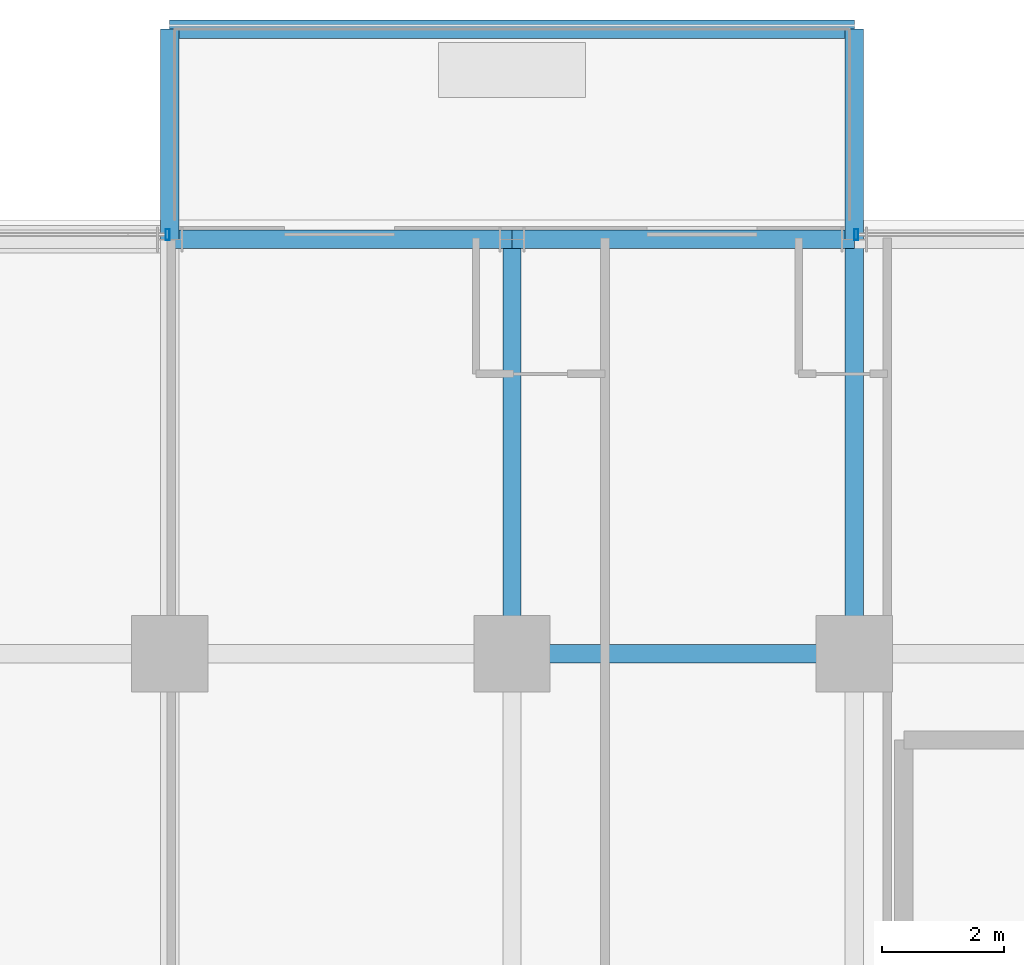
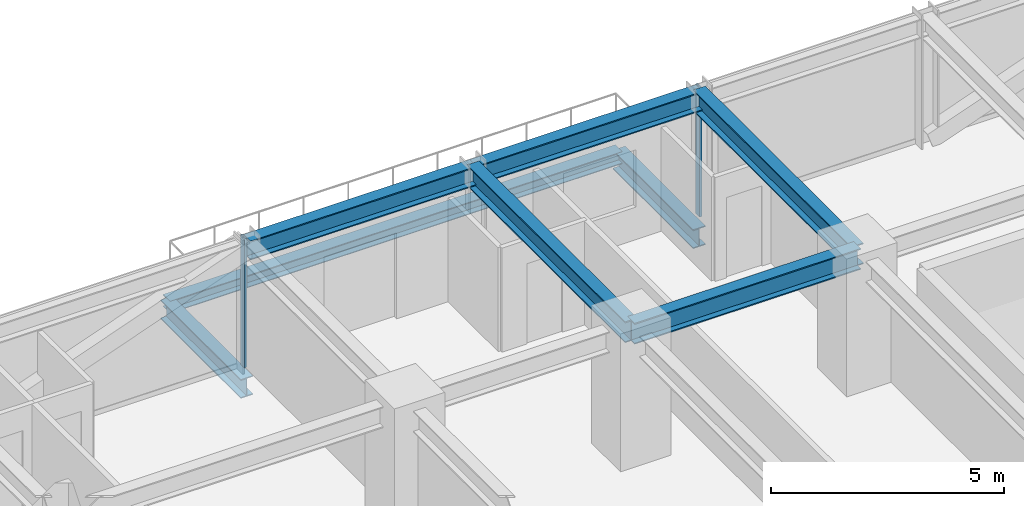
# One storey, part 20 of 39: 8 beams, 2 members, 2 elements without a shape of their own.
"""IFC4 building model written with IfcOpenShell, lengths in metres."""

from ifc_helpers import new_model, si_unit, direction, frame, origin, origin_2d, place, context, subcontext, project, spatial, hollow_rectangle, i_section, extrude, source, transform, mapped, material, material_profile, profile_set, type_object, element, aggregate, save


model = new_model("IFC4")

# Units and contexts
model_context = context("Model", 3, precision=1e-05, world=origin(), true_north=direction((0.0, 1.0)))
body_context = subcontext(model_context, "Body", "Model", "MODEL_VIEW")
ifc_project = project(units=[si_unit("LENGTHUNIT", "METRE"), si_unit("AREAUNIT", "SQUARE_METRE"), si_unit("VOLUMEUNIT", "CUBIC_METRE"), si_unit("PLANEANGLEUNIT", "RADIAN"), si_unit("MASSUNIT", "GRAM", prefix="KILO")], contexts=[model_context])

# Site, building, storey
site_placement = place(None, origin())
site = spatial("IfcSite", under=ifc_project, at=site_placement, CompositionType="ELEMENT")
building_placement = place(site_placement, origin())
building = spatial("IfcBuilding", under=site, at=building_placement, Name="Nahalor Promenade Grand Hotel", CompositionType="ELEMENT")
storey_placement = place(building_placement, frame((0.0, 0.0, 135.75)))
storey = spatial("IfcBuildingStorey", under=building, at=storey_placement, Name="L34", CompositionType="ELEMENT", Elevation=135.75)

# Beams
ifc_material_1 = material(Name="Steel S355JR", Category="steel")
ifc_material_profile_1 = material_profile(ifc_material_1, i_section(OverallWidth=0.3, OverallDepth=0.5, WebThickness=0.0145, FlangeThickness=0.028, at=origin_2d()), Name="HEB 500")
ifc_profile_set_1 = profile_set([ifc_material_profile_1], Name="Steel S355JR")
beam_type_1 = type_object("IfcBeamType", Name="Beam-Outrigger-HEB500", PredefinedType="BEAM", material=ifc_profile_set_1)
shared_shape_1 = source(origin(), body_context, "Body", "SweptSolid", [
    extrude(i_section(OverallWidth=0.3, OverallDepth=0.5, WebThickness=0.0145, FlangeThickness=0.028, at=origin_2d()), origin(), (0.0, 0.0, 1.0), 3.43994140625),
])
for number, where, z_axis, x_axis, name in (
    (1, (-8.39990234375, 23.780029296875, -0.530029296875), (0.0, 1.0, 0.0), (-1.0, 0.0, 0.0), "BM-L34-BC-01-1"),
    (2, (2.800048828125, 23.780029296875, -0.530029296875), (0.0, 1.0, 0.0), (-1.0, 0.0, 0.0), "BM-L34-BC-01-2"),
):
    element("IfcBeam", number, at=place(storey_placement, frame(where, z_axis=z_axis, x_axis=x_axis)), inside=storey, type_object=beam_type_1, Name=name, PredefinedType="BEAM", context=body_context, shape_type="MappedRepresentation", body=[
        mapped(shared_shape_1, transform((0.0, 0.0, 0.0), scale=1.0)),
    ])
ifc_material_profile_2 = material_profile(ifc_material_1, i_section(OverallWidth=0.3, OverallDepth=0.32, WebThickness=0.0115, FlangeThickness=0.0205, at=origin_2d()), Name="HEB 320")
ifc_profile_set_2 = profile_set([ifc_material_profile_2], Name="Steel S355JR")
beam_type_2 = type_object("IfcBeamType", Name="Beam-BalcEdge-HEB320", PredefinedType="SPANDREL", material=ifc_profile_set_2)
shared_shape_2 = source(origin(), body_context, "Body", "SweptSolid", [
    extrude(i_section(OverallWidth=0.3, OverallDepth=0.32, WebThickness=0.0115, FlangeThickness=0.0205, at=origin_2d()), origin(), (0.0, 0.0, 1.0), 11.199951171875),
])
beam_1_placement = place(storey_placement, frame((-8.39990234375, 27.219970703125, -0.43994140625), z_axis=(1.0, 0.0, 0.0), x_axis=(0.0, 1.0, 0.0)))
element("IfcBeam", 3, at=beam_1_placement, inside=storey, type_object=beam_type_2, Name="BM-L34-BC-01-F", PredefinedType="SPANDREL", context=body_context, shape_type="MappedRepresentation", body=[
    mapped(shared_shape_2, transform((0.0, 0.0, 0.0), scale=1.0)),
])
ifc_material_profile_3 = material_profile(ifc_material_1, i_section(OverallWidth=0.3, OverallDepth=0.5, WebThickness=0.0145, FlangeThickness=0.028, at=origin_2d()), Name="HEB 500")
ifc_profile_set_3 = profile_set([ifc_material_profile_3], Name="Steel S355JR")
beam_type_3 = type_object("IfcBeamType", Name="Beam-Spandrel-HEB500", PredefinedType="SPANDREL", material=ifc_profile_set_3)
shared_shape_3 = source(origin(), body_context, "Body", "SweptSolid", [
    extrude(i_section(OverallWidth=0.3, OverallDepth=0.5, WebThickness=0.0145, FlangeThickness=0.028, at=origin_2d()), origin(), (0.0, 0.0, 1.0), 5.599853515625),
])
beam_2_placement = place(storey_placement, frame((-8.39990234375, 23.780029296875, 3.1298828125), z_axis=(1.0, 0.0, 0.0), x_axis=(0.0, 1.0, 0.0)))
element("IfcBeam", 4, at=beam_2_placement, inside=storey, type_object=beam_type_3, Name="BM-L34-SP-N-1", PredefinedType="SPANDREL", context=body_context, shape_type="MappedRepresentation", body=[
    mapped(shared_shape_3, transform((0.0, 0.0, 0.0), scale=1.0)),
])
shared_shape_4 = source(origin(), body_context, "Body", "SweptSolid", [
    extrude(i_section(OverallWidth=0.3, OverallDepth=0.5, WebThickness=0.0145, FlangeThickness=0.028, at=origin_2d()), origin(), (0.0, 0.0, 1.0), 5.60009765625),
])
beam_3_placement = place(storey_placement, frame((-2.800048828125, 23.780029296875, 3.1298828125), z_axis=(1.0, 0.0, 0.0), x_axis=(0.0, 1.0, 0.0)))
element("IfcBeam", 5, at=beam_3_placement, inside=storey, type_object=beam_type_3, Name="BM-L34-SP-N-2", PredefinedType="SPANDREL", context=body_context, shape_type="MappedRepresentation", body=[
    mapped(shared_shape_4, transform((0.0, 0.0, 0.0), scale=1.0)),
])
ifc_material_profile_4 = material_profile(ifc_material_1, i_section(OverallWidth=0.3, OverallDepth=0.55, WebThickness=0.015, FlangeThickness=0.029, at=origin_2d()), Name="HEB 550")
ifc_profile_set_4 = profile_set([ifc_material_profile_4], Name="Steel S355JR")
beam_type_4 = type_object("IfcBeamType", Name="Beam-Girder-HEB550", PredefinedType="BEAM", material=ifc_profile_set_4)
shared_shape_5 = source(origin(), body_context, "Body", "SweptSolid", [
    extrude(i_section(OverallWidth=0.3, OverallDepth=0.55, WebThickness=0.015, FlangeThickness=0.029, at=origin_2d()), origin(), (0.0, 0.0, 1.0), 6.780029296875),
])
for number, where, z_axis, x_axis, name in (
    (6, (-2.800048828125, 17.0, 3.10498046875), (0.0, 1.0, 0.0), (-1.0, 0.0, 0.0), "BM-L34-GY-2-4"),
    (7, (2.800048828125, 17.0, 3.10498046875), (0.0, 1.0, 0.0), (-1.0, 0.0, 0.0), "BM-L34-GY-3-4"),
):
    element("IfcBeam", number, at=place(storey_placement, frame(where, z_axis=z_axis, x_axis=x_axis)), inside=storey, type_object=beam_type_4, Name=name, PredefinedType="BEAM", context=body_context, shape_type="MappedRepresentation", body=[
        mapped(shared_shape_5, transform((0.0, 0.0, 0.0), scale=1.0)),
    ])
shared_shape_6 = source(origin(), body_context, "Body", "SweptSolid", [
    extrude(i_section(OverallWidth=0.3, OverallDepth=0.55, WebThickness=0.015, FlangeThickness=0.029, at=origin_2d()), origin(), (0.0, 0.0, 1.0), 5.60009765625),
])
beam_4_placement = place(storey_placement, frame((-2.800048828125, 17.0, 3.10498046875), z_axis=(1.0, 0.0, 0.0), x_axis=(0.0, 1.0, 0.0)))
element("IfcBeam", 8, at=beam_4_placement, inside=storey, type_object=beam_type_4, Name="BM-L34-GX-3-3", PredefinedType="BEAM", context=body_context, shape_type="MappedRepresentation", body=[
    mapped(shared_shape_6, transform((0.0, 0.0, 0.0), scale=1.0)),
])

# Curtain wall, member
ifc_material_2 = material(Name="Anodised Bronze Aluminium EN AW-6063 T6", Category="aluminium")
curtain_wall_type = type_object("IfcCurtainWallType", Name="CW2 Typical Hotel Flush Bronze Unitised Curtain Wall", PredefinedType="USERDEFINED", material=ifc_material_2)
curtain_wall_1_placement = place(storey_placement, origin())
curtain_wall_1 = element("IfcCurtainWall", 9, at=curtain_wall_1_placement, inside=storey, type_object=curtain_wall_type, Name="L34 Curtain Wall CW-L34-N-1", ObjectType="UNITISED_CURTAIN_WALL", PredefinedType="USERDEFINED")
ifc_material_profile_5 = material_profile(ifc_material_2, hollow_rectangle(XDim=0.065, YDim=0.18, WallThickness=0.004, at=origin_2d()), Name="CWM 65x180x4")
ifc_profile_set_5 = profile_set([ifc_material_profile_5], Name="Anodised Bronze Aluminium EN AW-6063 T6")
member_type = type_object("IfcMemberType", Name="CWM2 Typical Bronze Mullion 65x180", PredefinedType="MULLION", material=ifc_profile_set_5)
shared_shape_7 = source(origin(), body_context, "Body", "SweptSolid", [
    extrude(hollow_rectangle(XDim=0.065, YDim=0.18, WallThickness=0.004, at=origin_2d()), origin(), (0.0, 0.0, 1.0), 3.3798828125),
])
member_1_placement = place(storey_placement, frame((-8.4326171875, 23.860107421875, 0.0), z_axis=(0.0, 0.0, 1.0), x_axis=(1.0, 0.0, 0.0)))
member_1 = element("IfcMember", 10, at=member_1_placement, type_object=member_type, Name="CW-L34-N-1 Mullion 1", PredefinedType="MULLION", context=body_context, shape_type="MappedRepresentation", body=[
    mapped(shared_shape_7, transform((0.0, 0.0, 0.0), scale=1.0)),
])
aggregate(curtain_wall_1, [member_1])

curtain_wall_2_placement = place(storey_placement, origin())
curtain_wall_2 = element("IfcCurtainWall", 11, at=curtain_wall_2_placement, inside=storey, type_object=curtain_wall_type, Name="L34 Curtain Wall CW-L34-N-3", ObjectType="UNITISED_CURTAIN_WALL", PredefinedType="USERDEFINED")
member_2_placement = place(storey_placement, frame((2.83251953125, 23.860107421875, 0.0), z_axis=(0.0, 0.0, 1.0), x_axis=(1.0, 0.0, 0.0)))
member_2 = element("IfcMember", 12, at=member_2_placement, type_object=member_type, Name="CW-L34-N-3 Mullion 0", PredefinedType="MULLION", context=body_context, shape_type="MappedRepresentation", body=[
    mapped(shared_shape_7, transform((0.0, 0.0, 0.0), scale=1.0)),
])
aggregate(curtain_wall_2, [member_2])

save(model, "model.ifc")
